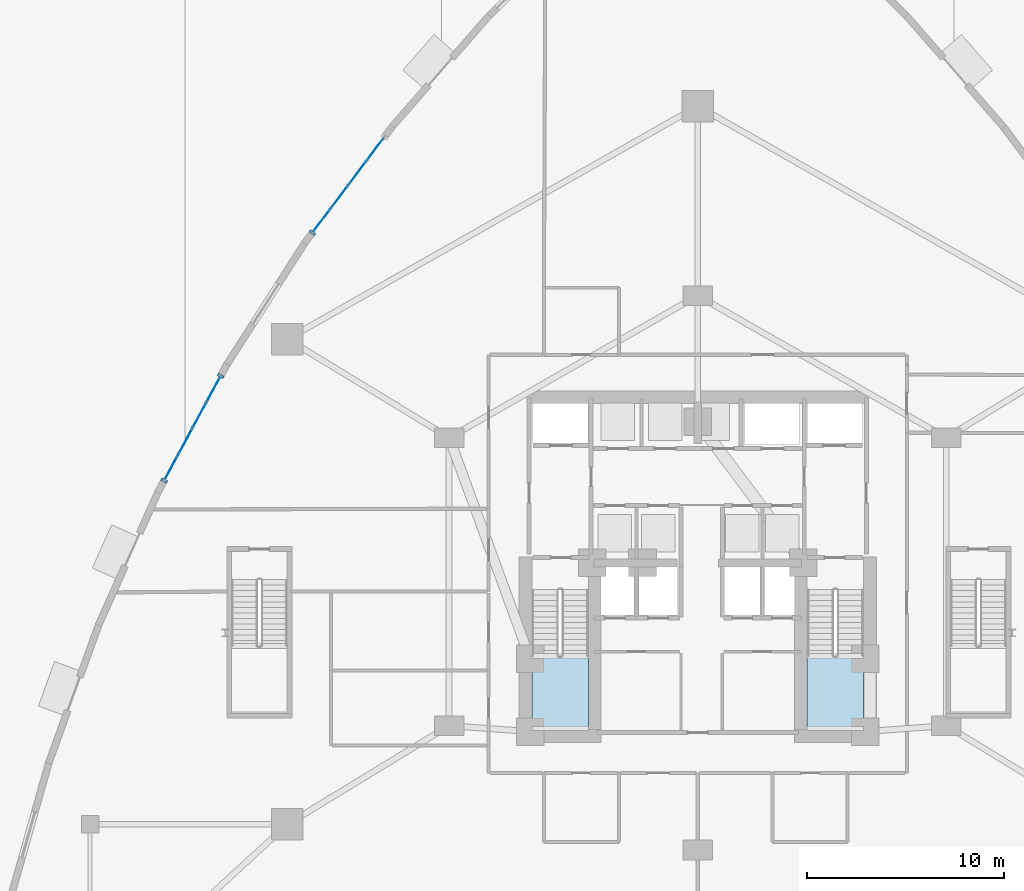
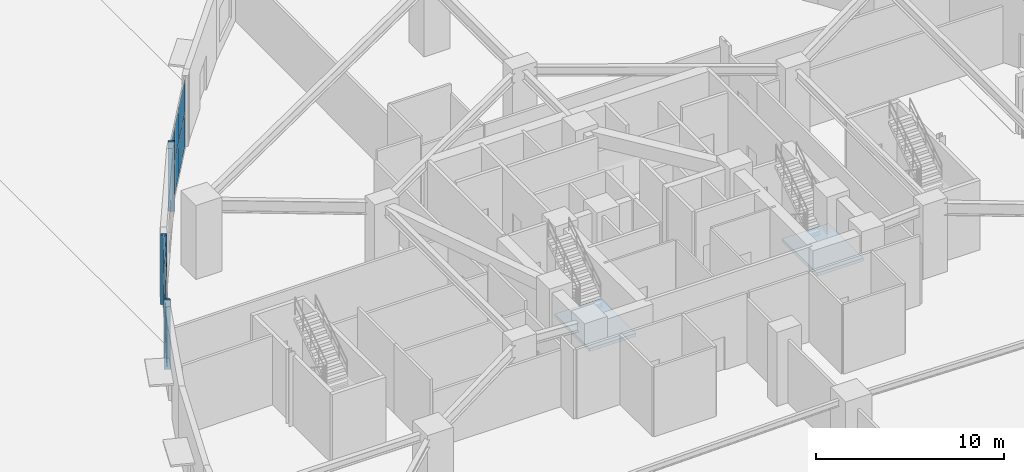
# One storey, part 17 of 32: 19 plates, 2 slabs, 4 elements without a shape of their own.
"""IFC4 building model written with IfcOpenShell, lengths in metres."""

from ifc_helpers import new_model, si_unit, direction, frame, origin, origin_2d, place, context, subcontext, project, spatial, polyline, rectangle, outline, extrude, material, layer, layer_set, type_object, element, aggregate, save


model = new_model("IFC4")

# Units and contexts
model_context = context("Model", 3, precision=1e-05, world=origin(), true_north=direction((0.0, 1.0)))
body_context = subcontext(model_context, "Body", "Model", "MODEL_VIEW")
ifc_project = project(units=[si_unit("LENGTHUNIT", "METRE"), si_unit("AREAUNIT", "SQUARE_METRE"), si_unit("VOLUMEUNIT", "CUBIC_METRE"), si_unit("PLANEANGLEUNIT", "RADIAN"), si_unit("MASSUNIT", "GRAM", prefix="KILO")], contexts=[model_context])

# Site, building, storey
site_placement = place(None, origin())
site = spatial("IfcSite", under=ifc_project, at=site_placement, CompositionType="ELEMENT")
building_placement = place(site_placement, origin())
building = spatial("IfcBuilding", under=site, at=building_placement, Name="Miruveldt Soraemaru", CompositionType="ELEMENT")
storey_placement = place(building_placement, origin())
storey = spatial("IfcBuildingStorey", under=building, at=storey_placement, Name="L01", CompositionType="ELEMENT", Elevation=0.0)

# Curtain wall, plates
ifc_material_1 = material(Name="Anodised aluminium EN AW-6063 T6", Category="aluminium")
ifc_layer_1 = layer(ifc_material_1, 0.239990234375, Name="Anodised aluminium EN AW-6063 T6", Category="aluminium")
ifc_layer_set_1 = layer_set([ifc_layer_1], Name="Anodised aluminium EN AW-6063 T6")
curtain_wall_type = type_object("IfcCurtainWallType", Name="CW-SYS-1", PredefinedType="USERDEFINED", material=ifc_layer_set_1)
curtain_wall_1_placement = place(storey_placement, origin())
curtain_wall_1 = element("IfcCurtainWall", 1, at=curtain_wall_1_placement, inside=storey, type_object=curtain_wall_type, Name="L01 Curtain Wall Bay 9", ObjectType="STOREFRONT", PredefinedType="USERDEFINED")
ifc_material_2 = material(Name="Triple low-e insulated glazing", Category="glass")
ifc_layer_2 = layer(ifc_material_2, 0.035888671875, Name="Triple low-e insulated glazing", Category="glass")
ifc_layer_set_2 = layer_set([ifc_layer_2], Name="Triple low-e insulated glazing")
plate_type_1 = type_object("IfcPlateType", Name="CWP-1", PredefinedType="CURTAIN_PANEL", material=ifc_layer_set_2)
plate_1_placement = place(storey_placement, frame((27.644775390625, 65.01708984375, 0.080078125), z_axis=(0.0, 0.0, 1.0), x_axis=(-0.600724749202, -0.799455924799, 0.0)))
plate_1 = element("IfcPlate", 2, at=plate_1_placement, type_object=plate_type_1, Name="CW-1 panel 1.1", PredefinedType="CURTAIN_PANEL", context=body_context, shape_type="SweptSolid", body=[
    extrude(rectangle(XDim=1.397216796875, YDim=0.035888671875, at=origin_2d()), origin(), (0.0, 0.0, 1.0), 2.1298828125),
])
plate_2_placement = place(storey_placement, frame((27.644775390625, 65.01708984375, 2.2900390625), z_axis=(0.0, 0.0, 1.0), x_axis=(-0.600724749202, -0.799455924799, 0.0)))
plate_2 = element("IfcPlate", 3, at=plate_2_placement, type_object=plate_type_1, Name="CW-1 panel 1.2", PredefinedType="CURTAIN_PANEL", context=body_context, shape_type="SweptSolid", body=[
    extrude(rectangle(XDim=1.397216796875, YDim=0.035888671875, at=origin_2d()), origin(), (0.0, 0.0, 1.0), 2.1298828125),
])
plate_3_placement = place(storey_placement, frame((26.745361328125, 63.820068359375, 0.080078125), z_axis=(0.0, 0.0, 1.0), x_axis=(-0.600724749202, -0.799455924799, 0.0)))
plate_3 = element("IfcPlate", 4, at=plate_3_placement, type_object=plate_type_1, Name="CW-1 panel 2.1", PredefinedType="CURTAIN_PANEL", context=body_context, shape_type="SweptSolid", body=[
    extrude(rectangle(XDim=1.437255859375, YDim=0.035888671875, at=origin_2d()), origin(), (0.0, 0.0, 1.0), 2.1298828125),
])
plate_4_placement = place(storey_placement, frame((26.745361328125, 63.820068359375, 2.2900390625), z_axis=(0.0, 0.0, 1.0), x_axis=(-0.600724749202, -0.799455924799, 0.0)))
plate_4 = element("IfcPlate", 5, at=plate_4_placement, type_object=plate_type_1, Name="CW-1 panel 2.2", PredefinedType="CURTAIN_PANEL", context=body_context, shape_type="SweptSolid", body=[
    extrude(rectangle(XDim=1.437255859375, YDim=0.035888671875, at=origin_2d()), origin(), (0.0, 0.0, 1.0), 2.1298828125),
])
plate_5_placement = place(storey_placement, frame((25.833984375, 62.607177734375, 0.080078125), z_axis=(0.0, 0.0, 1.0), x_axis=(-0.600724749202, -0.799455924799, 0.0)))
plate_5 = element("IfcPlate", 6, at=plate_5_placement, type_object=plate_type_1, Name="CW-1 panel 3.1", PredefinedType="CURTAIN_PANEL", context=body_context, shape_type="SweptSolid", body=[
    extrude(rectangle(XDim=1.437255859375, YDim=0.035888671875, at=origin_2d()), origin(), (0.0, 0.0, 1.0), 2.1298828125),
])
plate_6_placement = place(storey_placement, frame((25.833984375, 62.607177734375, 2.2900390625), z_axis=(0.0, 0.0, 1.0), x_axis=(-0.600724749202, -0.799455924799, 0.0)))
plate_6 = element("IfcPlate", 7, at=plate_6_placement, type_object=plate_type_1, Name="CW-1 panel 3.2", PredefinedType="CURTAIN_PANEL", context=body_context, shape_type="SweptSolid", body=[
    extrude(rectangle(XDim=1.437255859375, YDim=0.035888671875, at=origin_2d()), origin(), (0.0, 0.0, 1.0), 2.1298828125),
])
plate_7_placement = place(storey_placement, frame((24.934326171875, 61.41015625, 0.080078125), z_axis=(0.0, 0.0, 1.0), x_axis=(-0.600724749202, -0.799455924799, 0.0)))
plate_7 = element("IfcPlate", 8, at=plate_7_placement, type_object=plate_type_1, Name="CW-1 panel 4.1", PredefinedType="CURTAIN_PANEL", context=body_context, shape_type="SweptSolid", body=[
    extrude(rectangle(XDim=1.397216796875, YDim=0.035888671875, at=origin_2d()), origin(), (0.0, 0.0, 1.0), 2.1298828125),
])
plate_8_placement = place(storey_placement, frame((24.934326171875, 61.41015625, 2.2900390625), z_axis=(0.0, 0.0, 1.0), x_axis=(-0.600724749202, -0.799455924799, 0.0)))
plate_8 = element("IfcPlate", 9, at=plate_8_placement, type_object=plate_type_1, Name="CW-1 panel 4.2", PredefinedType="CURTAIN_PANEL", context=body_context, shape_type="SweptSolid", body=[
    extrude(rectangle(XDim=1.397216796875, YDim=0.035888671875, at=origin_2d()), origin(), (0.0, 0.0, 1.0), 2.1298828125),
])
aggregate(curtain_wall_1, [plate_1, plate_2, plate_3, plate_4, plate_5, plate_6, plate_7, plate_8])

curtain_wall_2_placement = place(storey_placement, origin())
curtain_wall_2 = element("IfcCurtainWall", 10, at=curtain_wall_2_placement, inside=storey, type_object=curtain_wall_type, Name="L01 Curtain Wall Bay 11", ObjectType="STOREFRONT", PredefinedType="USERDEFINED")
plate_9_placement = place(storey_placement, frame((19.446533203125, 52.845458984375, 0.080078125), z_axis=(0.0, 0.0, 1.0), x_axis=(-0.474951362284, -0.880012047341, 0.0)))
plate_9 = element("IfcPlate", 11, at=plate_9_placement, type_object=plate_type_1, Name="CW-1 panel 1.1", PredefinedType="CURTAIN_PANEL", context=body_context, shape_type="SweptSolid", body=[
    extrude(rectangle(XDim=1.386962890625, YDim=0.035888671875, at=origin_2d()), origin(), (0.0, 0.0, 1.0), 2.1298828125),
])
plate_10_placement = place(storey_placement, frame((19.446533203125, 52.845458984375, 2.2900390625), z_axis=(0.0, 0.0, 1.0), x_axis=(-0.474951362284, -0.880012047341, 0.0)))
plate_10 = element("IfcPlate", 12, at=plate_10_placement, type_object=plate_type_1, Name="CW-1 panel 1.2", PredefinedType="CURTAIN_PANEL", context=body_context, shape_type="SweptSolid", body=[
    extrude(rectangle(XDim=1.386962890625, YDim=0.035888671875, at=origin_2d()), origin(), (0.0, 0.0, 1.0), 2.1298828125),
])
plate_11_placement = place(storey_placement, frame((18.740478515625, 51.536865234375, 0.080078125), z_axis=(0.0, 0.0, 1.0), x_axis=(-0.474951362284, -0.880012047341, 0.0)))
plate_11 = element("IfcPlate", 13, at=plate_11_placement, type_object=plate_type_1, Name="CW-1 panel 2.1", PredefinedType="CURTAIN_PANEL", context=body_context, shape_type="SweptSolid", body=[
    extrude(rectangle(XDim=1.427001953125, YDim=0.035888671875, at=origin_2d()), origin(), (0.0, 0.0, 1.0), 2.1298828125),
])
plate_12_placement = place(storey_placement, frame((18.740478515625, 51.536865234375, 2.2900390625), z_axis=(0.0, 0.0, 1.0), x_axis=(-0.474951362284, -0.880012047341, 0.0)))
plate_12 = element("IfcPlate", 14, at=plate_12_placement, type_object=plate_type_1, Name="CW-1 panel 2.2", PredefinedType="CURTAIN_PANEL", context=body_context, shape_type="SweptSolid", body=[
    extrude(rectangle(XDim=1.427001953125, YDim=0.035888671875, at=origin_2d()), origin(), (0.0, 0.0, 1.0), 2.1298828125),
])
plate_13_placement = place(storey_placement, frame((18.024658203125, 50.210693359375, 0.080078125), z_axis=(0.0, 0.0, 1.0), x_axis=(-0.474951362284, -0.880012047341, 0.0)))
plate_13 = element("IfcPlate", 15, at=plate_13_placement, type_object=plate_type_1, Name="CW-1 panel 3.1", PredefinedType="CURTAIN_PANEL", context=body_context, shape_type="SweptSolid", body=[
    extrude(rectangle(XDim=1.427001953125, YDim=0.035888671875, at=origin_2d()), origin(), (0.0, 0.0, 1.0), 2.1298828125),
])
plate_14_placement = place(storey_placement, frame((18.024658203125, 50.210693359375, 2.2900390625), z_axis=(0.0, 0.0, 1.0), x_axis=(-0.474951362284, -0.880012047341, 0.0)))
plate_14 = element("IfcPlate", 16, at=plate_14_placement, type_object=plate_type_1, Name="CW-1 panel 3.2", PredefinedType="CURTAIN_PANEL", context=body_context, shape_type="SweptSolid", body=[
    extrude(rectangle(XDim=1.427001953125, YDim=0.035888671875, at=origin_2d()), origin(), (0.0, 0.0, 1.0), 2.1298828125),
])
plate_15_placement = place(storey_placement, frame((17.318359375, 48.902099609375, 0.080078125), z_axis=(0.0, 0.0, 1.0), x_axis=(-0.474951362284, -0.880012047341, 0.0)))
plate_15 = element("IfcPlate", 17, at=plate_15_placement, type_object=plate_type_1, Name="CW-1 panel 4.1", PredefinedType="CURTAIN_PANEL", context=body_context, shape_type="SweptSolid", body=[
    extrude(rectangle(XDim=1.386962890625, YDim=0.035888671875, at=origin_2d()), origin(), (0.0, 0.0, 1.0), 2.1298828125),
])
plate_16_placement = place(storey_placement, frame((17.318359375, 48.902099609375, 2.2900390625), z_axis=(0.0, 0.0, 1.0), x_axis=(-0.474951362284, -0.880012047341, 0.0)))
plate_16 = element("IfcPlate", 18, at=plate_16_placement, type_object=plate_type_1, Name="CW-1 panel 4.2", PredefinedType="CURTAIN_PANEL", context=body_context, shape_type="SweptSolid", body=[
    extrude(rectangle(XDim=1.386962890625, YDim=0.035888671875, at=origin_2d()), origin(), (0.0, 0.0, 1.0), 2.1298828125),
])
aggregate(curtain_wall_2, [plate_9, plate_10, plate_11, plate_12, plate_13, plate_14, plate_15, plate_16])

# Plates
ifc_layer_3 = layer(ifc_material_1, 0.030029296875, Name="Anodised aluminium EN AW-6063 T6", Category="aluminium")
ifc_layer_set_3 = layer_set([ifc_layer_3], Name="Anodised aluminium EN AW-6063 T6")
plate_type_2 = type_object("IfcPlateType", Name="PLT-JAMB-30", PredefinedType="SHEET", material=ifc_layer_set_3)
for number, where, z_axis, x_axis, name in (
    (19, (24.466796875, 60.78759765625, 0.0), (0.0, 0.0, 1.0), (-0.600741190937, -0.799443569936, 0.0), "L01 Curtain Wall Jamb Closure Trim 9JR"),
    (20, (19.81396484375, 53.526123046875, 0.0), (0.0, 0.0, 1.0), (-0.47494854728, -0.880013566621, 0.0), "L01 Curtain Wall Jamb Closure Trim 11JL"),
    (21, (16.950927734375, 48.221435546875, 0.0), (0.0, 0.0, 1.0), (-0.47494854728, -0.880013566621, 0.0), "L01 Curtain Wall Jamb Closure Trim 11JR"),
):
    element("IfcPlate", number, at=place(storey_placement, frame(where, z_axis=z_axis, x_axis=x_axis)), inside=storey, type_object=plate_type_2, Name=name, PredefinedType="SHEET", context=body_context, shape_type="SweptSolid", body=[
        extrude(rectangle(XDim=0.139892578125, YDim=0.340087890625, at=origin_2d()), origin(), (0.0, 0.0, 1.0), 4.5),
    ])

# Stair, slab
ifc_material_3 = material(Name="Concrete C40/50 (40 MPa)", Category="concrete")
stair_type = type_object("IfcStairType", Name="STAIR-DL-480", PredefinedType="HALF_TURN_STAIR", material=ifc_material_3)
stair_1_placement = place(storey_placement, origin())
stair_1 = element("IfcStair", 22, at=stair_1_placement, inside=storey, type_object=stair_type, Name="L01 Protected Exit Stair ST-1", PredefinedType="HALF_TURN_STAIR")
ifc_layer_4 = layer(ifc_material_3, 0.199951171875, Name="Concrete C40/50 (40 MPa)", Category="concrete")
ifc_layer_set_4 = layer_set([ifc_layer_4], Name="Concrete C40/50 (40 MPa)")
slab_type = type_object("IfcSlabType", Name="SLAB-LAND-200", PredefinedType="LANDING", material=ifc_layer_set_4)
slab_1_placement = place(storey_placement, frame((0.0, 0.0, 2.199951171875)))
slab_1 = element("IfcSlab", 23, at=slab_1_placement, type_object=slab_type, Name="ST-1 landing 1", PredefinedType="LANDING", context=body_context, shape_type="SweptSolid", body=[
    extrude(outline(polyline([(35.60009765625, 39.35791015625), (35.60009765625, 35.64990234375), (38.449951171875, 35.64990234375), (38.449951171875, 39.35791015625), (35.60009765625, 39.35791015625)])), origin(), (0.0, 0.0, 1.0), 0.199951171875),
])
aggregate(stair_1, [slab_1])

stair_2_placement = place(storey_placement, origin())
stair_2 = element("IfcStair", 24, at=stair_2_placement, inside=storey, type_object=stair_type, Name="L01 Protected Exit Stair ST-2", PredefinedType="HALF_TURN_STAIR")
slab_2_placement = place(storey_placement, frame((0.0, 0.0, 2.199951171875)))
slab_2 = element("IfcSlab", 25, at=slab_2_placement, type_object=slab_type, Name="ST-2 landing 1", PredefinedType="LANDING", context=body_context, shape_type="SweptSolid", body=[
    extrude(outline(polyline([(49.550048828125, 39.35791015625), (49.550048828125, 35.64990234375), (52.39990234375, 35.64990234375), (52.39990234375, 39.35791015625), (49.550048828125, 39.35791015625)])), origin(), (0.0, 0.0, 1.0), 0.199951171875),
])
aggregate(stair_2, [slab_2])

save(model, "model.ifc")
